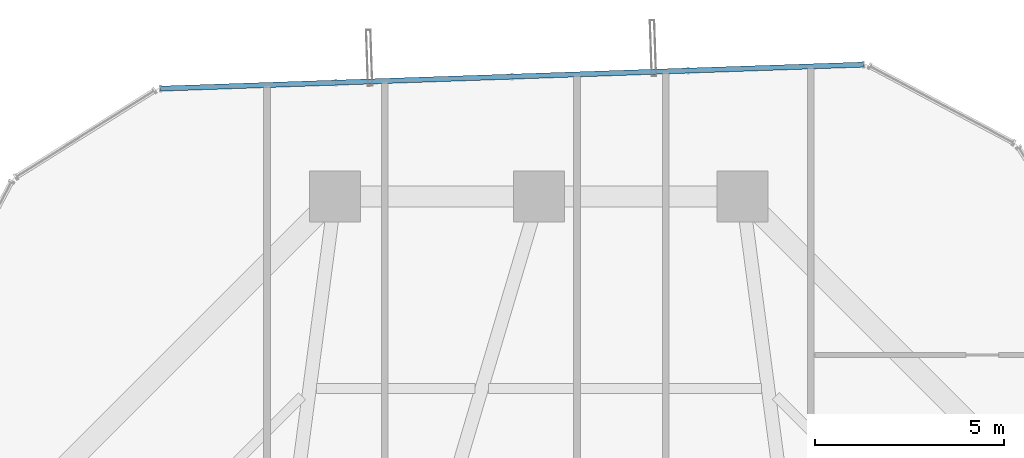
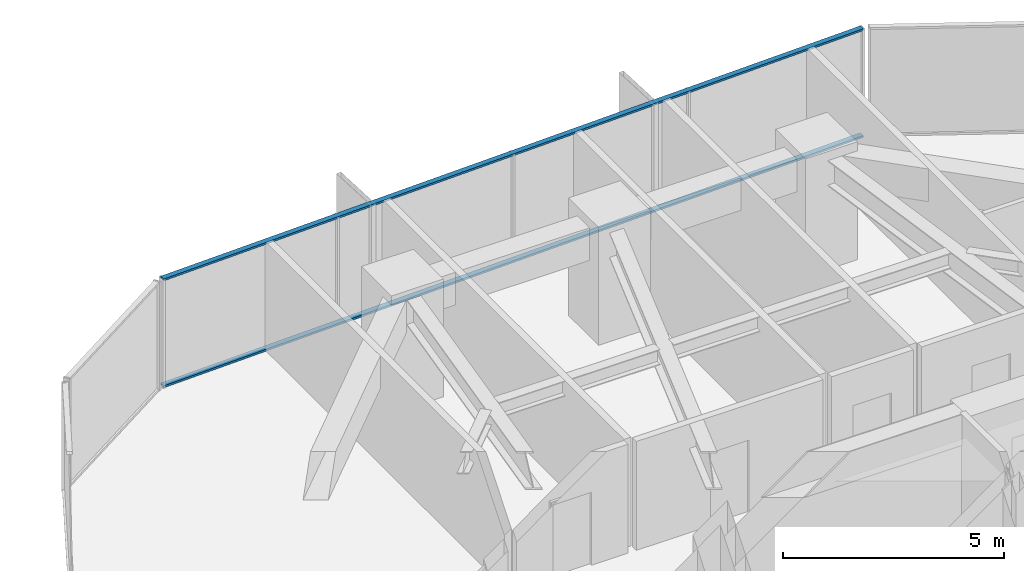
# One storey, part 28 of 39: 2 members, 1 element without a shape of its own.
"""IFC4 building model written with IfcOpenShell, lengths in metres."""

from ifc_helpers import new_model, si_unit, direction, frame, origin, origin_2d, place, context, subcontext, project, spatial, hollow_rectangle, extrude, source, transform, mapped, material, layer, layer_set, material_profile, profile_set, type_object, element, aggregate, save


model = new_model("IFC4")

# Units and contexts
model_context = context("Model", 3, precision=1e-05, world=origin(), true_north=direction((0.0, 1.0)))
body_context = subcontext(model_context, "Body", "Model", "MODEL_VIEW")
ifc_project = project(units=[si_unit("LENGTHUNIT", "METRE"), si_unit("AREAUNIT", "SQUARE_METRE"), si_unit("VOLUMEUNIT", "CUBIC_METRE"), si_unit("PLANEANGLEUNIT", "RADIAN"), si_unit("MASSUNIT", "GRAM", prefix="KILO")], contexts=[model_context])

# Site, building, storey
site_placement = place(None, origin())
site = spatial("IfcSite", under=ifc_project, at=site_placement, CompositionType="ELEMENT")
building_placement = place(site_placement, origin())
building = spatial("IfcBuilding", under=site, at=building_placement, Name="Veraguas Prism Commons", CompositionType="ELEMENT")
storey_placement = place(building_placement, frame((0.0, 0.0, 30.550048828125)))
storey = spatial("IfcBuildingStorey", under=building, at=storey_placement, Name="L07", CompositionType="ELEMENT", Elevation=30.550048828125)

# Curtain wall, members
ifc_material = material(Name="Anodised aluminium EN AW-6063 T6", Category="aluminium")
ifc_layer = layer(ifc_material, 0.169921875, Name="Unitised Flush Curtain Wall Zone 1", Category="aluminium")
ifc_layer_set = layer_set([ifc_layer], Name="Anodised aluminium EN AW-6063 T6")
curtain_wall_type = type_object("IfcCurtainWallType", Name="Unitised Flush Curtain Wall Zone 1", PredefinedType="NOTDEFINED", material=ifc_layer_set)
curtain_wall_placement = place(storey_placement, origin())
curtain_wall = element("IfcCurtainWall", 1, at=curtain_wall_placement, inside=storey, type_object=curtain_wall_type, Name="Tower Facade Curtain Wall L07-F2", PredefinedType="NOTDEFINED")
ifc_material_profile = material_profile(ifc_material, hollow_rectangle(XDim=0.054931640625, YDim=0.135009765625, WallThickness=0.0029296875, at=origin_2d()), Name="AL55X135X3")
ifc_profile_set = profile_set([ifc_material_profile], Name="Anodised aluminium EN AW-6063 T6")
member_type = type_object("IfcMemberType", Name="Curtain Wall Transom Standard AL 55x135x3", PredefinedType="USERDEFINED", material=ifc_profile_set)
shared_shape = source(origin(), body_context, "Body", "SweptSolid", [
    extrude(hollow_rectangle(XDim=0.054931640625, YDim=0.135009765625, WallThickness=0.0029296875, at=origin_2d()), origin(), (0.0, 0.0, 1.0), 18.6240234375),
])
member_1_placement = place(storey_placement, frame((32.595703125, 45.0908203125, 0.02734375), z_axis=(-0.999415412074, -0.034188215935, 0.0), x_axis=(0.0, 0.0, 1.0)))
member_1 = element("IfcMember", 2, at=member_1_placement, type_object=member_type, Name="CW-Z1 Transom 1", ObjectType="TRANSOM", PredefinedType="USERDEFINED", context=body_context, shape_type="MappedRepresentation", body=[
    mapped(shared_shape, transform((0.0, 0.0, 0.0), scale=1.0)),
])
member_2_placement = place(storey_placement, frame((32.595703125, 45.0908203125, 2.972412109375), z_axis=(-0.999415412074, -0.034188215935, 0.0), x_axis=(0.0, 0.0, 1.0)))
member_2 = element("IfcMember", 3, at=member_2_placement, type_object=member_type, Name="CW-Z1 Transom 2", ObjectType="TRANSOM", PredefinedType="USERDEFINED", context=body_context, shape_type="MappedRepresentation", body=[
    mapped(shared_shape, transform((0.0, 0.0, 0.0), scale=1.0)),
])
aggregate(curtain_wall, [member_1, member_2])

save(model, "model.ifc")
